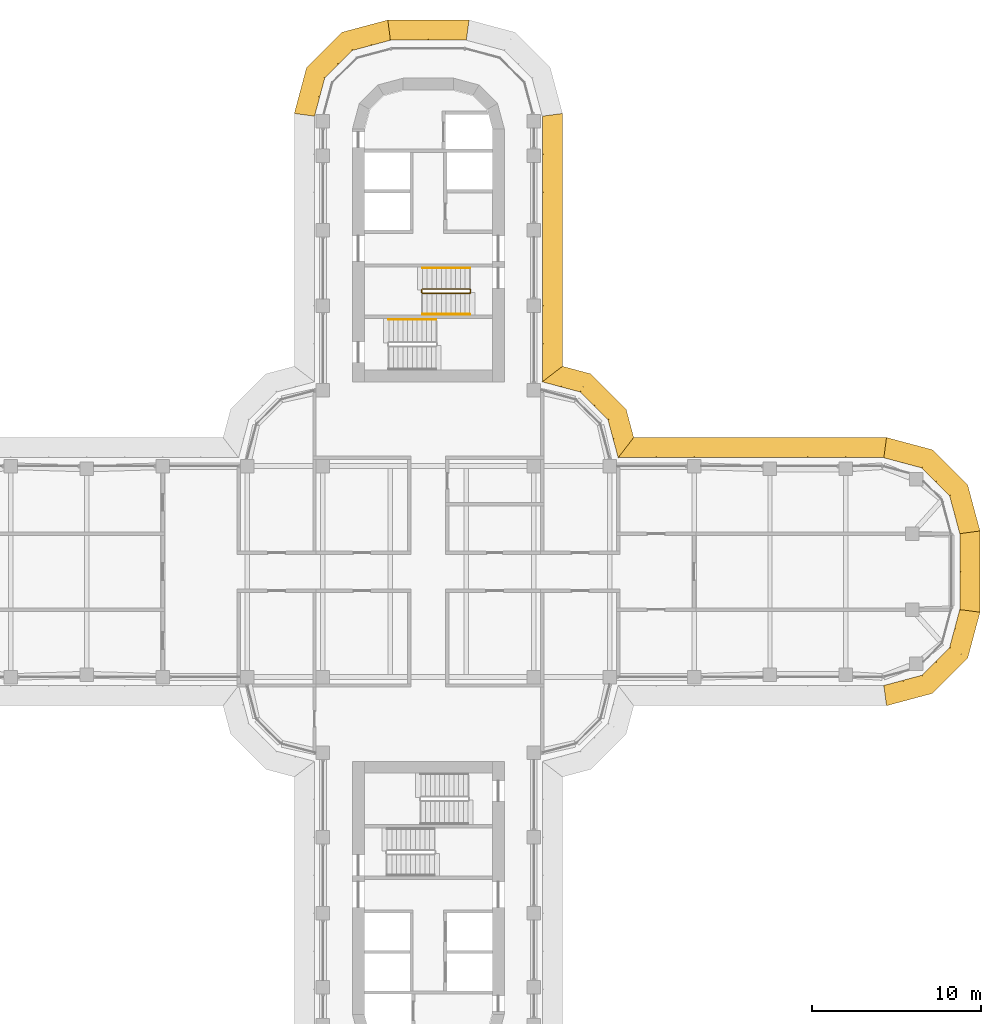
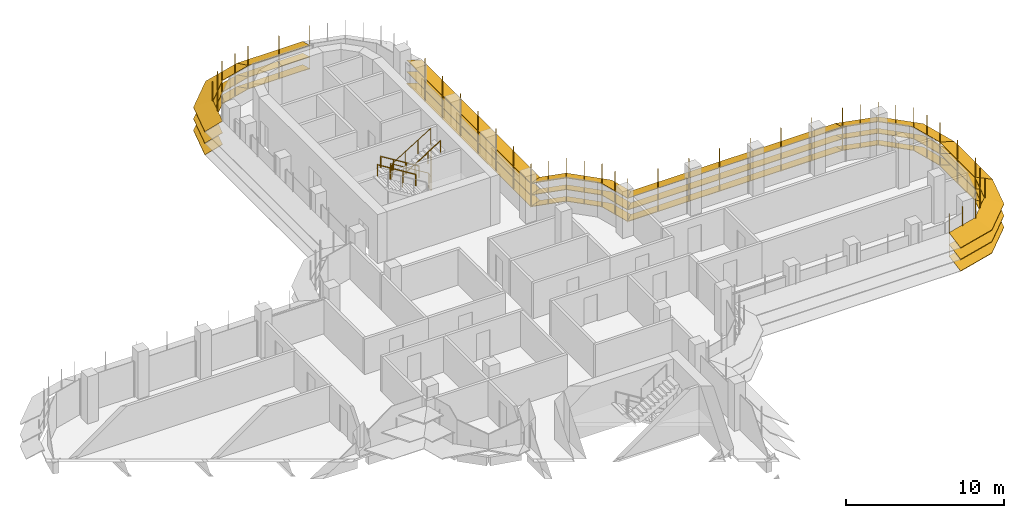
# One storey, part 19 of 20: 8 shading devices, 4 railings.
"""IFC4 building model written with IfcOpenShell, lengths in metres."""

from ifc_helpers import new_model, si_unit, direction, frame, origin, origin_2d, place, context, subcontext, project, spatial, polyline, circle, outline, extrude, faceted_brep, source, transform, mapped, material, type_object, element, save


model = new_model("IFC4")

# Units and contexts
model_context = context("Model", 3, precision=1e-05, world=origin(), true_north=direction((0.0, 1.0)))
body_context = subcontext(model_context, "Body", "Model", "MODEL_VIEW")
ifc_project = project(units=[si_unit("LENGTHUNIT", "METRE"), si_unit("AREAUNIT", "SQUARE_METRE"), si_unit("VOLUMEUNIT", "CUBIC_METRE"), si_unit("PLANEANGLEUNIT", "RADIAN"), si_unit("MASSUNIT", "GRAM", prefix="KILO")], contexts=[model_context])

# Site, building, storey
site_placement = place(None, origin())
site = spatial("IfcSite", under=ifc_project, at=site_placement, CompositionType="ELEMENT")
building_placement = place(site_placement, origin())
building = spatial("IfcBuilding", under=site, at=building_placement, Name="Zarbagh Exchange Tower", CompositionType="ELEMENT")
storey_placement = place(building_placement, frame((0.0, 0.0, 141.0)))
storey = spatial("IfcBuildingStorey", under=building, at=storey_placement, Name="L33", CompositionType="ELEMENT", Elevation=141.0)

# Railings
ifc_material_1 = material(Name="Stainless steel", Category="steel")
railing_type_1 = type_object("IfcRailingType", Name="Stair guard 1100 mm", PredefinedType="GUARDRAIL", material=ifc_material_1)
railing_1_placement = place(storey_placement, frame((-0.35009765625, 16.5, 2.07275390625)))
element("IfcRailing", 1, at=railing_1_placement, inside=storey, type_object=railing_type_1, Name="ST1 stair guard 1", PredefinedType="GUARDRAIL", context=body_context, shape_type="SweptSolid", body=[
    extrude(circle(Radius=0.02392578125, at=origin_2d()), frame((0.0, 0.0, 1.076171875), z_axis=(0.851089632645, 0.0, 0.525020415988), x_axis=(0.0, 1.0, 0.0)), (0.0, 0.0, 1.0), 3.2900390625),
    extrude(circle(Radius=0.02392578125, at=origin_2d()), frame((2.800048828125, 0.0, 2.80322265625), z_axis=(0.013168290981, 0.013168290981, -0.999826581076), x_axis=(-0.707106781187, 0.707106781187, 0.0)), (0.0, 0.0, 1.0), 3.80078125),
    extrude(circle(Radius=0.02392578125, at=origin_2d()), frame((2.85009765625, 0.050048828125, -0.99658203125), z_axis=(0.0, 1.0, 0.0), x_axis=(-1.0, 0.0, 0.0)), (0.0, 0.0, 1.0), 0.14990234375),
    extrude(circle(Radius=0.02392578125, at=origin_2d()), frame((2.85009765625, 0.199951171875, -0.99658203125), z_axis=(-0.268277960024, 0.268277960024, 0.925231793839), x_axis=(-0.707106781187, -0.707106781187, 0.0)), (0.0, 0.0, 1.0), 0.1865234375),
    extrude(circle(Radius=0.02392578125, at=origin_2d()), frame((2.800048828125, 0.25, -0.82421875), z_axis=(-0.851089632645, 0.0, 0.525020415988), x_axis=(0.0, -1.0, 0.0)), (0.0, 0.0, 1.0), 3.2900390625),
    extrude(circle(Radius=0.02392578125, at=origin_2d()), frame((0.0, 0.25, 0.9033203125), z_axis=(-0.705375805398, -0.708833529934, 0.0), x_axis=(0.708833529934, -0.705375805398, 0.0)), (0.0, 0.0, 1.0), 0.070556640625),
    extrude(circle(Radius=0.02392578125, at=origin_2d()), frame((-0.0498046875, 0.199951171875, 0.9033203125), z_axis=(0.0, -1.0, 0.0), x_axis=(1.0, 0.0, 0.0)), (0.0, 0.0, 1.0), 0.14990234375),
    extrude(circle(Radius=0.02099609375, at=origin_2d()), origin(), (0.0, 0.0, 1.0), 1.052001953125),
    extrude(circle(Radius=0.02099609375, at=origin_2d()), frame((0.933349609375, 0.0, 0.57568359375)), (0.0, 0.0, 1.0), 1.052001953125),
    extrude(circle(Radius=0.02099609375, at=origin_2d()), frame((1.86669921875, 0.0, 1.151611328125)), (0.0, 0.0, 1.0), 1.052001953125),
    extrude(circle(Radius=0.02099609375, at=origin_2d()), frame((2.800048828125, 0.0, 1.727294921875)), (0.0, 0.0, 1.0), 1.052001953125),
    extrude(circle(Radius=0.02099609375, at=origin_2d()), frame((2.8125, 0.012451171875, 0.77734375)), (0.0, 0.0, 1.0), 1.052001953125),
    extrude(circle(Radius=0.02099609375, at=origin_2d()), frame((2.8251953125, 0.02490234375, -0.1728515625)), (0.0, 0.0, 1.0), 1.052001953125),
    extrude(circle(Radius=0.02099609375, at=origin_2d()), frame((2.837646484375, 0.03759765625, -1.122802734375)), (0.0, 0.0, 1.0), 1.052001953125),
    extrude(circle(Radius=0.02099609375, at=origin_2d()), frame((2.85009765625, 0.050048828125, -2.07275390625)), (0.0, 0.0, 1.0), 1.052001953125),
    extrude(circle(Radius=0.02099609375, at=origin_2d()), frame((2.85009765625, 0.199951171875, -2.07275390625)), (0.0, 0.0, 1.0), 1.052001953125),
    extrude(circle(Radius=0.02099609375, at=origin_2d()), frame((2.800048828125, 0.25, -1.900146484375)), (0.0, 0.0, 1.0), 1.052001953125),
    extrude(circle(Radius=0.02099609375, at=origin_2d()), frame((1.86669921875, 0.25, -1.324462890625)), (0.0, 0.0, 1.0), 1.052001953125),
    extrude(circle(Radius=0.02099609375, at=origin_2d()), frame((0.933349609375, 0.25, -0.74853515625)), (0.0, 0.0, 1.0), 1.052001953125),
    extrude(circle(Radius=0.02099609375, at=origin_2d()), frame((0.0, 0.25, -0.1728515625)), (0.0, 0.0, 1.0), 1.052001953125),
    extrude(circle(Radius=0.02099609375, at=origin_2d()), frame((-0.0498046875, 0.199951171875, -0.1728515625)), (0.0, 0.0, 1.0), 1.052001953125),
    extrude(circle(Radius=0.02099609375, at=origin_2d()), frame((-0.0498046875, 0.050048828125, -0.1728515625)), (0.0, 0.0, 1.0), 1.052001953125),
])
railing_type_2 = type_object("IfcRailingType", Name="Stair handrail 900 mm", PredefinedType="HANDRAIL", material=ifc_material_1)
railing_2_placement = place(storey_placement, frame((2.449951171875, 18.0, 0.172607421875)))
element("IfcRailing", 2, at=railing_2_placement, inside=storey, type_object=railing_type_2, Name="ST1 stair handrail 1", PredefinedType="HANDRAIL", context=body_context, shape_type="SweptSolid", body=[
    extrude(circle(Radius=0.02392578125, at=origin_2d()), frame((0.0, 0.0, 0.8759765625), z_axis=(-0.851089632645, 0.0, 0.525020415988), x_axis=(0.0, -1.0, 0.0)), (0.0, 0.0, 1.0), 3.2900390625),
    extrude(circle(Radius=0.02099609375, at=origin_2d()), origin(), (0.0, 0.0, 1.0), 0.851806640625),
    extrude(circle(Radius=0.02099609375, at=origin_2d()), frame((-0.933349609375, 0.0, 0.57568359375)), (0.0, 0.0, 1.0), 0.851806640625),
    extrude(circle(Radius=0.02099609375, at=origin_2d()), frame((-1.86669921875, 0.0, 1.151611328125)), (0.0, 0.0, 1.0), 0.851806640625),
    extrude(circle(Radius=0.02099609375, at=origin_2d()), frame((-2.800048828125, 0.0, 1.727294921875)), (0.0, 0.0, 1.0), 0.851806640625),
])
railing_3_placement = place(storey_placement, frame((-0.35009765625, 15.25, 2.07275390625)))
element("IfcRailing", 3, at=railing_3_placement, inside=storey, type_object=railing_type_2, Name="ST1 stair handrail 2", PredefinedType="HANDRAIL", context=body_context, shape_type="SweptSolid", body=[
    extrude(circle(Radius=0.02392578125, at=origin_2d()), frame((0.0, 0.0, 0.8759765625), z_axis=(0.851089632645, 0.0, 0.525020415988), x_axis=(0.0, 1.0, 0.0)), (0.0, 0.0, 1.0), 3.2900390625),
    extrude(circle(Radius=0.02099609375, at=origin_2d()), origin(), (0.0, 0.0, 1.0), 0.851806640625),
    extrude(circle(Radius=0.02099609375, at=origin_2d()), frame((0.933349609375, 0.0, 0.57568359375)), (0.0, 0.0, 1.0), 0.851806640625),
    extrude(circle(Radius=0.02099609375, at=origin_2d()), frame((1.86669921875, 0.0, 1.151611328125)), (0.0, 0.0, 1.0), 0.851806640625),
    extrude(circle(Radius=0.02099609375, at=origin_2d()), frame((2.800048828125, 0.0, 1.727294921875)), (0.0, 0.0, 1.0), 0.851806640625),
])
railing_4_placement = place(storey_placement, frame((0.449951171875, 14.949951171875, 2.07275390625)))
element("IfcRailing", 4, at=railing_4_placement, inside=storey, type_object=railing_type_2, Name="ST2 stair handrail 2", PredefinedType="HANDRAIL", context=body_context, shape_type="SweptSolid", body=[
    extrude(circle(Radius=0.02392578125, at=origin_2d()), frame((0.0, 0.0, 0.8759765625), z_axis=(-0.851089632645, 0.0, 0.525020415988), x_axis=(0.0, -1.0, 0.0)), (0.0, 0.0, 1.0), 3.2900390625),
    extrude(circle(Radius=0.02099609375, at=origin_2d()), origin(), (0.0, 0.0, 1.0), 0.851806640625),
    extrude(circle(Radius=0.02099609375, at=origin_2d()), frame((-0.933349609375, 0.0, 0.57568359375)), (0.0, 0.0, 1.0), 0.851806640625),
    extrude(circle(Radius=0.02099609375, at=origin_2d()), frame((-1.86669921875, 0.0, 1.151611328125)), (0.0, 0.0, 1.0), 0.851806640625),
    extrude(circle(Radius=0.02099609375, at=origin_2d()), frame((-2.800048828125, 0.0, 1.727294921875)), (0.0, 0.0, 1.0), 0.851806640625),
])

# Shading devices
ifc_material_2 = material(Name="Anodised aluminium blades and brackets", Category="aluminium")
shading_device_type = type_object("IfcShadingDeviceType", Name="SUNSHADE louvre band, 22.5 degree blades", PredefinedType="JALOUSIE", material=ifc_material_2)
shared_shape_1 = source(origin(), body_context, "Body", "Brep", [
    faceted_brep([(0.0, 0.0, 0.0), (0.0, 0.0, -0.043212890625), (-0.157958984375, -1.199951171875, -0.540283203125), (-0.157958984375, -1.199951171875, -0.4970703125), (2.65087890625, -1.199951171875, -0.4970703125), (2.65087890625, -1.199951171875, -0.540283203125), (2.329345703125, 0.0, -0.043212890625), (2.329345703125, 0.0, 0.0)], [[[0, 1, 2, 3]], [[4, 5, 6, 7]], [[0, 7, 6, 1]], [[1, 6, 5, 2]], [[2, 5, 4, 3]], [[3, 4, 7, 0]]]),
])
shared_shape_2 = source(origin(), body_context, "Body", "Brep", [
    faceted_brep([(0.0, 0.0, 0.0), (0.0, 0.0, -0.043212890625), (-0.321533203125, -1.199951171875, -0.540283203125), (-0.321533203125, -1.199951171875, -0.4970703125), (2.65087890625, -1.199951171875, -0.4970703125), (2.65087890625, -1.199951171875, -0.540283203125), (2.329345703125, 0.0, -0.043212890625), (2.329345703125, 0.0, 0.0)], [[[0, 1, 2, 3]], [[4, 5, 6, 7]], [[0, 7, 6, 1]], [[1, 6, 5, 2]], [[2, 5, 4, 3]], [[3, 4, 7, 0]]]),
])
shared_shape_3 = source(origin(), body_context, "Body", "Brep", [
    faceted_brep([(0.0, 0.0, 0.0), (0.0, 0.0, -0.043212890625), (-0.321533203125, -1.199951171875, -0.540283203125), (-0.321533203125, -1.199951171875, -0.4970703125), (2.4873046875, -1.199951171875, -0.4970703125), (2.4873046875, -1.199951171875, -0.540283203125), (2.329345703125, 0.0, -0.043212890625), (2.329345703125, 0.0, 0.0)], [[[0, 1, 2, 3]], [[4, 5, 6, 7]], [[0, 7, 6, 1]], [[1, 6, 5, 2]], [[2, 5, 4, 3]], [[3, 4, 7, 0]]]),
])
shared_shape_4 = source(origin(), body_context, "Body", "SweptSolid", [
    extrude(outline(polyline([(0.0, -0.012451171875), (0.06005859375, -0.012451171875), (0.06005859375, 0.012451171875), (0.0, 0.012451171875), (0.0, -0.012451171875)])), origin(), (0.0, 0.0, 1.0), 3.353271484375),
])
placement = place(storey_placement, origin())
element("IfcShadingDevice", 5, at=placement, inside=storey, type_object=shading_device_type, Name="SS31 sunshade band", PredefinedType="JALOUSIE", context=body_context, shape_type="MappedRepresentation", body=[
    mapped(shared_shape_1, transform((27.0, -6.75, 2.300048828125), x_axis=(0.965924289636, 0.258824779902, 0.0), y_axis=(-0.258824779902, 0.965924289636, 0.0), z_axis=(0.0, 0.0, 1.0))),
    mapped(shared_shape_1, transform((27.0, -6.75, 1.39990234375), x_axis=(0.965924289636, 0.258824779902, 0.0), y_axis=(-0.258824779902, 0.965924289636, 0.0), z_axis=(0.0, 0.0, 1.0))),
    mapped(shared_shape_1, transform((27.0, -6.75, 0.5), x_axis=(0.965924289636, 0.258824779902, 0.0), y_axis=(-0.258824779902, 0.965924289636, 0.0), z_axis=(0.0, 0.0, 1.0))),
    mapped(shared_shape_2, transform((29.25, -6.147216796875, 2.300048828125), x_axis=(0.707106781187, 0.707106781187, 0.0), y_axis=(-0.707106781187, 0.707106781187, 0.0), z_axis=(0.0, 0.0, 1.0))),
    mapped(shared_shape_2, transform((29.25, -6.147216796875, 1.39990234375), x_axis=(0.707106781187, 0.707106781187, 0.0), y_axis=(-0.707106781187, 0.707106781187, 0.0), z_axis=(0.0, 0.0, 1.0))),
    mapped(shared_shape_2, transform((29.25, -6.147216796875, 0.5), x_axis=(0.707106781187, 0.707106781187, 0.0), y_axis=(-0.707106781187, 0.707106781187, 0.0), z_axis=(0.0, 0.0, 1.0))),
    mapped(shared_shape_3, transform((30.897216796875, -4.5, 2.300048828125), x_axis=(0.258824779902, 0.965924289636, 0.0), y_axis=(-0.965924289636, 0.258824779902, 0.0), z_axis=(0.0, 0.0, 1.0))),
    mapped(shared_shape_3, transform((30.897216796875, -4.5, 1.39990234375), x_axis=(0.258824779902, 0.965924289636, 0.0), y_axis=(-0.965924289636, 0.258824779902, 0.0), z_axis=(0.0, 0.0, 1.0))),
    mapped(shared_shape_3, transform((30.897216796875, -4.5, 0.5), x_axis=(0.258824779902, 0.965924289636, 0.0), y_axis=(-0.965924289636, 0.258824779902, 0.0), z_axis=(0.0, 0.0, 1.0))),
    mapped(shared_shape_4, transform((27.0, -6.75, 0.4267578125), x_axis=(0.130529263012, -0.991444457092, 0.0), y_axis=(0.991444457092, 0.130529263012, 0.0), z_axis=(0.0, 0.0, 1.0))),
    mapped(shared_shape_4, transform((28.125, -6.448486328125, 0.4267578125), x_axis=(0.258825058029, -0.96592421511, 0.0), y_axis=(0.96592421511, 0.258825058029, 0.0), z_axis=(0.0, 0.0, 1.0))),
    mapped(shared_shape_4, transform((29.25, -6.147216796875, 0.4267578125), x_axis=(0.50000275701, -0.866023812018, 0.0), y_axis=(0.866023812018, 0.50000275701, 0.0), z_axis=(0.0, 0.0, 1.0))),
    mapped(shared_shape_4, transform((30.073486328125, -5.323486328125, 0.4267578125), x_axis=(0.707106781187, -0.707106781187, 0.0), y_axis=(0.707106781187, 0.707106781187, 0.0), z_axis=(0.0, 0.0, 1.0))),
    mapped(shared_shape_4, transform((30.897216796875, -4.5, 0.4267578125), x_axis=(0.866023812018, -0.50000275701, 0.0), y_axis=(0.50000275701, 0.866023812018, 0.0), z_axis=(0.0, 0.0, 1.0))),
    mapped(shared_shape_4, transform((31.198486328125, -3.375, 0.4267578125), x_axis=(0.96592421511, -0.258825058029, 0.0), y_axis=(0.258825058029, 0.96592421511, 0.0), z_axis=(0.0, 0.0, 1.0))),
])
element("IfcShadingDevice", 6, at=placement, inside=storey, type_object=shading_device_type, Name="SS33 sunshade band", PredefinedType="JALOUSIE", context=body_context, shape_type="MappedRepresentation", body=[
    mapped(shared_shape_1, transform((31.5, 2.25, 2.300048828125), x_axis=(-0.258824779902, 0.965924289636, 0.0), y_axis=(-0.965924289636, -0.258824779902, 0.0), z_axis=(0.0, 0.0, 1.0))),
    mapped(shared_shape_1, transform((31.5, 2.25, 1.39990234375), x_axis=(-0.258824779902, 0.965924289636, 0.0), y_axis=(-0.965924289636, -0.258824779902, 0.0), z_axis=(0.0, 0.0, 1.0))),
    mapped(shared_shape_1, transform((31.5, 2.25, 0.5), x_axis=(-0.258824779902, 0.965924289636, 0.0), y_axis=(-0.965924289636, -0.258824779902, 0.0), z_axis=(0.0, 0.0, 1.0))),
    mapped(shared_shape_2, transform((30.897216796875, 4.5, 2.300048828125), x_axis=(-0.707106781187, 0.707106781187, 0.0), y_axis=(-0.707106781187, -0.707106781187, 0.0), z_axis=(0.0, 0.0, 1.0))),
    mapped(shared_shape_2, transform((30.897216796875, 4.5, 1.39990234375), x_axis=(-0.707106781187, 0.707106781187, 0.0), y_axis=(-0.707106781187, -0.707106781187, 0.0), z_axis=(0.0, 0.0, 1.0))),
    mapped(shared_shape_2, transform((30.897216796875, 4.5, 0.5), x_axis=(-0.707106781187, 0.707106781187, 0.0), y_axis=(-0.707106781187, -0.707106781187, 0.0), z_axis=(0.0, 0.0, 1.0))),
    mapped(shared_shape_3, transform((29.25, 6.147216796875, 2.300048828125), x_axis=(-0.965924289636, 0.258824779902, 0.0), y_axis=(-0.258824779902, -0.965924289636, 0.0), z_axis=(0.0, 0.0, 1.0))),
    mapped(shared_shape_3, transform((29.25, 6.147216796875, 1.39990234375), x_axis=(-0.965924289636, 0.258824779902, 0.0), y_axis=(-0.258824779902, -0.965924289636, 0.0), z_axis=(0.0, 0.0, 1.0))),
    mapped(shared_shape_3, transform((29.25, 6.147216796875, 0.5), x_axis=(-0.965924289636, 0.258824779902, 0.0), y_axis=(-0.258824779902, -0.965924289636, 0.0), z_axis=(0.0, 0.0, 1.0))),
    mapped(shared_shape_4, transform((31.5, 2.25, 0.4267578125), x_axis=(0.991444457092, 0.130529263012, 0.0), y_axis=(-0.130529263012, 0.991444457092, 0.0), z_axis=(0.0, 0.0, 1.0))),
    mapped(shared_shape_4, transform((31.198486328125, 3.375, 0.4267578125), x_axis=(0.96592421511, 0.258825058029, 0.0), y_axis=(-0.258825058029, 0.96592421511, 0.0), z_axis=(0.0, 0.0, 1.0))),
    mapped(shared_shape_4, transform((30.897216796875, 4.5, 0.4267578125), x_axis=(0.866023812018, 0.50000275701, 0.0), y_axis=(-0.50000275701, 0.866023812018, 0.0), z_axis=(0.0, 0.0, 1.0))),
    mapped(shared_shape_4, transform((30.073486328125, 5.323486328125, 0.4267578125), x_axis=(0.707106781187, 0.707106781187, 0.0), y_axis=(-0.707106781187, 0.707106781187, 0.0), z_axis=(0.0, 0.0, 1.0))),
    mapped(shared_shape_4, transform((29.25, 6.147216796875, 0.4267578125), x_axis=(0.50000275701, 0.866023812018, 0.0), y_axis=(-0.866023812018, 0.50000275701, 0.0), z_axis=(0.0, 0.0, 1.0))),
    mapped(shared_shape_4, transform((28.125, 6.448486328125, 0.4267578125), x_axis=(0.258825058029, 0.96592421511, 0.0), y_axis=(-0.96592421511, 0.258825058029, 0.0), z_axis=(0.0, 0.0, 1.0))),
])
element("IfcShadingDevice", 7, at=placement, inside=storey, type_object=shading_device_type, Name="SS28 sunshade band", PredefinedType="JALOUSIE", context=body_context, shape_type="MappedRepresentation", body=[
    mapped(shared_shape_1, transform((-2.25, 31.5, 2.300048828125), x_axis=(-0.965924289636, -0.258824779902, 0.0), y_axis=(0.258824779902, -0.965924289636, 0.0), z_axis=(0.0, 0.0, 1.0))),
    mapped(shared_shape_1, transform((-2.25, 31.5, 1.39990234375), x_axis=(-0.965924289636, -0.258824779902, 0.0), y_axis=(0.258824779902, -0.965924289636, 0.0), z_axis=(0.0, 0.0, 1.0))),
    mapped(shared_shape_1, transform((-2.25, 31.5, 0.5), x_axis=(-0.965924289636, -0.258824779902, 0.0), y_axis=(0.258824779902, -0.965924289636, 0.0), z_axis=(0.0, 0.0, 1.0))),
    mapped(shared_shape_2, transform((-4.5, 30.897216796875, 2.300048828125), x_axis=(-0.707106781187, -0.707106781187, 0.0), y_axis=(0.707106781187, -0.707106781187, 0.0), z_axis=(0.0, 0.0, 1.0))),
    mapped(shared_shape_2, transform((-4.5, 30.897216796875, 1.39990234375), x_axis=(-0.707106781187, -0.707106781187, 0.0), y_axis=(0.707106781187, -0.707106781187, 0.0), z_axis=(0.0, 0.0, 1.0))),
    mapped(shared_shape_2, transform((-4.5, 30.897216796875, 0.5), x_axis=(-0.707106781187, -0.707106781187, 0.0), y_axis=(0.707106781187, -0.707106781187, 0.0), z_axis=(0.0, 0.0, 1.0))),
    mapped(shared_shape_3, transform((-6.147216796875, 29.25, 2.300048828125), x_axis=(-0.258824779902, -0.965924289636, 0.0), y_axis=(0.965924289636, -0.258824779902, 0.0), z_axis=(0.0, 0.0, 1.0))),
    mapped(shared_shape_3, transform((-6.147216796875, 29.25, 1.39990234375), x_axis=(-0.258824779902, -0.965924289636, 0.0), y_axis=(0.965924289636, -0.258824779902, 0.0), z_axis=(0.0, 0.0, 1.0))),
    mapped(shared_shape_3, transform((-6.147216796875, 29.25, 0.5), x_axis=(-0.258824779902, -0.965924289636, 0.0), y_axis=(0.965924289636, -0.258824779902, 0.0), z_axis=(0.0, 0.0, 1.0))),
    mapped(shared_shape_4, transform((-2.25, 31.5, 0.4267578125), x_axis=(-0.130529263012, 0.991444457092, 0.0), y_axis=(-0.991444457092, -0.130529263012, 0.0), z_axis=(0.0, 0.0, 1.0))),
    mapped(shared_shape_4, transform((-3.375, 31.198486328125, 0.4267578125), x_axis=(-0.258825058029, 0.96592421511, 0.0), y_axis=(-0.96592421511, -0.258825058029, 0.0), z_axis=(0.0, 0.0, 1.0))),
    mapped(shared_shape_4, transform((-4.5, 30.897216796875, 0.4267578125), x_axis=(-0.50000275701, 0.866023812018, 0.0), y_axis=(-0.866023812018, -0.50000275701, 0.0), z_axis=(0.0, 0.0, 1.0))),
    mapped(shared_shape_4, transform((-5.323486328125, 30.073486328125, 0.4267578125), x_axis=(-0.707106781187, 0.707106781187, 0.0), y_axis=(-0.707106781187, -0.707106781187, 0.0), z_axis=(0.0, 0.0, 1.0))),
    mapped(shared_shape_4, transform((-6.147216796875, 29.25, 0.4267578125), x_axis=(-0.866023812018, 0.50000275701, 0.0), y_axis=(-0.50000275701, -0.866023812018, 0.0), z_axis=(0.0, 0.0, 1.0))),
    mapped(shared_shape_4, transform((-6.448486328125, 28.125, 0.4267578125), x_axis=(-0.96592421511, 0.258825058029, 0.0), y_axis=(-0.258825058029, -0.96592421511, 0.0), z_axis=(0.0, 0.0, 1.0))),
])
shared_shape_5 = source(origin(), body_context, "Body", "Brep", [
    faceted_brep([(0.0, 0.0, 0.0), (0.0, 0.0, -0.043212890625), (0.9208984375, -1.199951171875, -0.540283203125), (0.9208984375, -1.199951171875, -0.4970703125), (2.65087890625, -1.199951171875, -0.4970703125), (2.65087890625, -1.199951171875, -0.540283203125), (2.329345703125, 0.0, -0.043212890625), (2.329345703125, 0.0, 0.0)], [[[0, 1, 2, 3]], [[4, 5, 6, 7]], [[0, 7, 6, 1]], [[1, 6, 5, 2]], [[2, 5, 4, 3]], [[3, 4, 7, 0]]]),
])
shared_shape_6 = source(origin(), body_context, "Body", "Brep", [
    faceted_brep([(0.0, 0.0, 0.0), (0.0, 0.0, -0.043212890625), (-0.321533203125, -1.199951171875, -0.540283203125), (-0.321533203125, -1.199951171875, -0.4970703125), (1.40869140625, -1.199951171875, -0.4970703125), (1.40869140625, -1.199951171875, -0.540283203125), (2.329345703125, 0.0, -0.043212890625), (2.329345703125, 0.0, 0.0)], [[[0, 1, 2, 3]], [[4, 5, 6, 7]], [[0, 7, 6, 1]], [[1, 6, 5, 2]], [[2, 5, 4, 3]], [[3, 4, 7, 0]]]),
])
element("IfcShadingDevice", 8, at=placement, inside=storey, type_object=shading_device_type, Name="SS09 sunshade band", PredefinedType="JALOUSIE", context=body_context, shape_type="MappedRepresentation", body=[
    mapped(shared_shape_5, transform((11.25, 6.75, 2.300048828125), x_axis=(-0.258824779902, 0.965924289636, 0.0), y_axis=(-0.965924289636, -0.258824779902, 0.0), z_axis=(0.0, 0.0, 1.0))),
    mapped(shared_shape_5, transform((11.25, 6.75, 1.39990234375), x_axis=(-0.258824779902, 0.965924289636, 0.0), y_axis=(-0.965924289636, -0.258824779902, 0.0), z_axis=(0.0, 0.0, 1.0))),
    mapped(shared_shape_5, transform((11.25, 6.75, 0.5), x_axis=(-0.258824779902, 0.965924289636, 0.0), y_axis=(-0.965924289636, -0.258824779902, 0.0), z_axis=(0.0, 0.0, 1.0))),
    mapped(shared_shape_2, transform((10.647216796875, 9.0, 2.300048828125), x_axis=(-0.707106781187, 0.707106781187, 0.0), y_axis=(-0.707106781187, -0.707106781187, 0.0), z_axis=(0.0, 0.0, 1.0))),
    mapped(shared_shape_2, transform((10.647216796875, 9.0, 1.39990234375), x_axis=(-0.707106781187, 0.707106781187, 0.0), y_axis=(-0.707106781187, -0.707106781187, 0.0), z_axis=(0.0, 0.0, 1.0))),
    mapped(shared_shape_2, transform((10.647216796875, 9.0, 0.5), x_axis=(-0.707106781187, 0.707106781187, 0.0), y_axis=(-0.707106781187, -0.707106781187, 0.0), z_axis=(0.0, 0.0, 1.0))),
    mapped(shared_shape_6, transform((9.0, 10.647216796875, 2.300048828125), x_axis=(-0.965924289636, 0.258824779902, 0.0), y_axis=(-0.258824779902, -0.965924289636, 0.0), z_axis=(0.0, 0.0, 1.0))),
    mapped(shared_shape_6, transform((9.0, 10.647216796875, 1.39990234375), x_axis=(-0.965924289636, 0.258824779902, 0.0), y_axis=(-0.258824779902, -0.965924289636, 0.0), z_axis=(0.0, 0.0, 1.0))),
    mapped(shared_shape_6, transform((9.0, 10.647216796875, 0.5), x_axis=(-0.965924289636, 0.258824779902, 0.0), y_axis=(-0.258824779902, -0.965924289636, 0.0), z_axis=(0.0, 0.0, 1.0))),
    mapped(shared_shape_4, transform((11.25, 6.75, 0.4267578125), x_axis=(0.608758892, 0.793355287, 0.0), y_axis=(-0.793355287, 0.608758892, 0.0), z_axis=(0.0, 0.0, 1.0))),
    mapped(shared_shape_4, transform((10.948486328125, 7.875, 0.4267578125), x_axis=(0.96592421511, 0.258825058029, 0.0), y_axis=(-0.258825058029, 0.96592421511, 0.0), z_axis=(0.0, 0.0, 1.0))),
    mapped(shared_shape_4, transform((10.647216796875, 9.0, 0.4267578125), x_axis=(0.866023812018, 0.50000275701, 0.0), y_axis=(-0.50000275701, 0.866023812018, 0.0), z_axis=(0.0, 0.0, 1.0))),
    mapped(shared_shape_4, transform((9.823486328125, 9.823486328125, 0.4267578125), x_axis=(0.707106781187, 0.707106781187, 0.0), y_axis=(-0.707106781187, 0.707106781187, 0.0), z_axis=(0.0, 0.0, 1.0))),
    mapped(shared_shape_4, transform((9.0, 10.647216796875, 0.4267578125), x_axis=(0.50000275701, 0.866023812018, 0.0), y_axis=(-0.866023812018, 0.50000275701, 0.0), z_axis=(0.0, 0.0, 1.0))),
    mapped(shared_shape_4, transform((7.875, 10.948486328125, 0.4267578125), x_axis=(0.258825058029, 0.96592421511, 0.0), y_axis=(-0.96592421511, 0.258825058029, 0.0), z_axis=(0.0, 0.0, 1.0))),
])
shared_shape_7 = source(origin(), body_context, "Body", "Brep", [
    faceted_brep([(0.0, 0.0, 0.0), (0.0, 0.0, -0.043212890625), (-0.157958984375, -1.199951171875, -0.540283203125), (-0.157958984375, -1.199951171875, -0.4970703125), (4.657958984375, -1.199951171875, -0.4970703125), (4.657958984375, -1.199951171875, -0.540283203125), (4.5, 0.0, -0.043212890625), (4.5, 0.0, 0.0)], [[[0, 1, 2, 3]], [[4, 5, 6, 7]], [[0, 7, 6, 1]], [[1, 6, 5, 2]], [[2, 5, 4, 3]], [[3, 4, 7, 0]]]),
])
element("IfcShadingDevice", 9, at=placement, inside=storey, type_object=shading_device_type, Name="SS32 sunshade band", PredefinedType="JALOUSIE", context=body_context, shape_type="MappedRepresentation", body=[
    mapped(shared_shape_7, transform((31.5, -2.25, 2.300048828125), x_axis=(0.0, 1.0, 0.0), y_axis=(-1.0, 0.0, 0.0), z_axis=(0.0, 0.0, 1.0))),
    mapped(shared_shape_7, transform((31.5, -2.25, 1.39990234375), x_axis=(0.0, 1.0, 0.0), y_axis=(-1.0, 0.0, 0.0), z_axis=(0.0, 0.0, 1.0))),
    mapped(shared_shape_7, transform((31.5, -2.25, 0.5), x_axis=(0.0, 1.0, 0.0), y_axis=(-1.0, 0.0, 0.0), z_axis=(0.0, 0.0, 1.0))),
    mapped(shared_shape_4, transform((31.5, -2.25, 0.4267578125), x_axis=(0.991444457092, -0.130529263012, 0.0), y_axis=(0.130529263012, 0.991444457092, 0.0), z_axis=(0.0, 0.0, 1.0))),
    mapped(shared_shape_4, transform((31.5, 0.0, 0.4267578125), x_axis=(1.0, 0.0, 0.0), y_axis=(0.0, 1.0, 0.0), z_axis=(0.0, 0.0, 1.0))),
])
shared_shape_8 = source(origin(), body_context, "Body", "Brep", [
    faceted_brep([(0.0, 0.0, 0.0), (0.0, 0.0, -0.043212890625), (-0.157958984375, -1.199951171875, -0.540283203125), (-0.157958984375, -1.199951171875, -0.4970703125), (14.8291015625, -1.199951171875, -0.4970703125), (14.8291015625, -1.199951171875, -0.540283203125), (15.75, 0.0, -0.043212890625), (15.75, 0.0, 0.0)], [[[0, 1, 2, 3]], [[4, 5, 6, 7]], [[0, 7, 6, 1]], [[1, 6, 5, 2]], [[2, 5, 4, 3]], [[3, 4, 7, 0]]]),
])
element("IfcShadingDevice", 10, at=placement, inside=storey, type_object=shading_device_type, Name="SS34 sunshade band", PredefinedType="JALOUSIE", context=body_context, shape_type="MappedRepresentation", body=[
    mapped(shared_shape_8, transform((27.0, 6.75, 2.300048828125), x_axis=(-1.0, 0.0, 0.0), y_axis=(0.0, -1.0, 0.0), z_axis=(0.0, 0.0, 1.0))),
    mapped(shared_shape_8, transform((27.0, 6.75, 1.39990234375), x_axis=(-1.0, 0.0, 0.0), y_axis=(0.0, -1.0, 0.0), z_axis=(0.0, 0.0, 1.0))),
    mapped(shared_shape_8, transform((27.0, 6.75, 0.5), x_axis=(-1.0, 0.0, 0.0), y_axis=(0.0, -1.0, 0.0), z_axis=(0.0, 0.0, 1.0))),
    mapped(shared_shape_4, transform((27.0, 6.75, 0.4267578125), x_axis=(0.130529263012, 0.991444457092, 0.0), y_axis=(-0.991444457092, 0.130529263012, 0.0), z_axis=(0.0, 0.0, 1.0))),
    mapped(shared_shape_4, transform((24.75, 6.75, 0.4267578125), x_axis=(0.0, 1.0, 0.0), y_axis=(-1.0, 0.0, 0.0), z_axis=(0.0, 0.0, 1.0))),
    mapped(shared_shape_4, transform((22.5, 6.75, 0.4267578125), x_axis=(0.0, 1.0, 0.0), y_axis=(-1.0, 0.0, 0.0), z_axis=(0.0, 0.0, 1.0))),
    mapped(shared_shape_4, transform((20.25, 6.75, 0.4267578125), x_axis=(0.0, 1.0, 0.0), y_axis=(-1.0, 0.0, 0.0), z_axis=(0.0, 0.0, 1.0))),
    mapped(shared_shape_4, transform((18.0, 6.75, 0.4267578125), x_axis=(0.0, 1.0, 0.0), y_axis=(-1.0, 0.0, 0.0), z_axis=(0.0, 0.0, 1.0))),
    mapped(shared_shape_4, transform((15.75, 6.75, 0.4267578125), x_axis=(0.0, 1.0, 0.0), y_axis=(-1.0, 0.0, 0.0), z_axis=(0.0, 0.0, 1.0))),
    mapped(shared_shape_4, transform((13.5, 6.75, 0.4267578125), x_axis=(0.0, 1.0, 0.0), y_axis=(-1.0, 0.0, 0.0), z_axis=(0.0, 0.0, 1.0))),
])
shared_shape_9 = source(origin(), body_context, "Body", "Brep", [
    faceted_brep([(0.0, 0.0, 0.0), (0.0, 0.0, -0.043212890625), (0.9208984375, -1.199951171875, -0.540283203125), (0.9208984375, -1.199951171875, -0.4970703125), (15.907958984375, -1.199951171875, -0.4970703125), (15.907958984375, -1.199951171875, -0.540283203125), (15.75, 0.0, -0.043212890625), (15.75, 0.0, 0.0)], [[[0, 1, 2, 3]], [[4, 5, 6, 7]], [[0, 7, 6, 1]], [[1, 6, 5, 2]], [[2, 5, 4, 3]], [[3, 4, 7, 0]]]),
])
element("IfcShadingDevice", 11, at=placement, inside=storey, type_object=shading_device_type, Name="SS25 sunshade band", PredefinedType="JALOUSIE", context=body_context, shape_type="MappedRepresentation", body=[
    mapped(shared_shape_9, transform((6.75, 11.25, 2.300048828125), x_axis=(0.0, 1.0, 0.0), y_axis=(-1.0, 0.0, 0.0), z_axis=(0.0, 0.0, 1.0))),
    mapped(shared_shape_9, transform((6.75, 11.25, 1.39990234375), x_axis=(0.0, 1.0, 0.0), y_axis=(-1.0, 0.0, 0.0), z_axis=(0.0, 0.0, 1.0))),
    mapped(shared_shape_9, transform((6.75, 11.25, 0.5), x_axis=(0.0, 1.0, 0.0), y_axis=(-1.0, 0.0, 0.0), z_axis=(0.0, 0.0, 1.0))),
    mapped(shared_shape_4, transform((6.75, 11.25, 0.4267578125), x_axis=(0.793355287, 0.608758892, 0.0), y_axis=(-0.608758892, 0.793355287, 0.0), z_axis=(0.0, 0.0, 1.0))),
    mapped(shared_shape_4, transform((6.75, 13.5, 0.4267578125), x_axis=(1.0, 0.0, 0.0), y_axis=(0.0, 1.0, 0.0), z_axis=(0.0, 0.0, 1.0))),
    mapped(shared_shape_4, transform((6.75, 15.75, 0.4267578125), x_axis=(1.0, 0.0, 0.0), y_axis=(0.0, 1.0, 0.0), z_axis=(0.0, 0.0, 1.0))),
    mapped(shared_shape_4, transform((6.75, 18.0, 0.4267578125), x_axis=(1.0, 0.0, 0.0), y_axis=(0.0, 1.0, 0.0), z_axis=(0.0, 0.0, 1.0))),
    mapped(shared_shape_4, transform((6.75, 20.25, 0.4267578125), x_axis=(1.0, 0.0, 0.0), y_axis=(0.0, 1.0, 0.0), z_axis=(0.0, 0.0, 1.0))),
    mapped(shared_shape_4, transform((6.75, 22.5, 0.4267578125), x_axis=(1.0, 0.0, 0.0), y_axis=(0.0, 1.0, 0.0), z_axis=(0.0, 0.0, 1.0))),
    mapped(shared_shape_4, transform((6.75, 24.75, 0.4267578125), x_axis=(1.0, 0.0, 0.0), y_axis=(0.0, 1.0, 0.0), z_axis=(0.0, 0.0, 1.0))),
])
element("IfcShadingDevice", 12, at=placement, inside=storey, type_object=shading_device_type, Name="SS27 sunshade band", PredefinedType="JALOUSIE", context=body_context, shape_type="MappedRepresentation", body=[
    mapped(shared_shape_7, transform((2.25, 31.5, 2.300048828125), x_axis=(-1.0, 0.0, 0.0), y_axis=(0.0, -1.0, 0.0), z_axis=(0.0, 0.0, 1.0))),
    mapped(shared_shape_7, transform((2.25, 31.5, 1.39990234375), x_axis=(-1.0, 0.0, 0.0), y_axis=(0.0, -1.0, 0.0), z_axis=(0.0, 0.0, 1.0))),
    mapped(shared_shape_7, transform((2.25, 31.5, 0.5), x_axis=(-1.0, 0.0, 0.0), y_axis=(0.0, -1.0, 0.0), z_axis=(0.0, 0.0, 1.0))),
    mapped(shared_shape_4, transform((2.25, 31.5, 0.4267578125), x_axis=(0.130529263012, 0.991444457092, 0.0), y_axis=(-0.991444457092, 0.130529263012, 0.0), z_axis=(0.0, 0.0, 1.0))),
    mapped(shared_shape_4, transform((0.0, 31.5, 0.4267578125), x_axis=(0.0, 1.0, 0.0), y_axis=(-1.0, 0.0, 0.0), z_axis=(0.0, 0.0, 1.0))),
])

save(model, "model.ifc")
